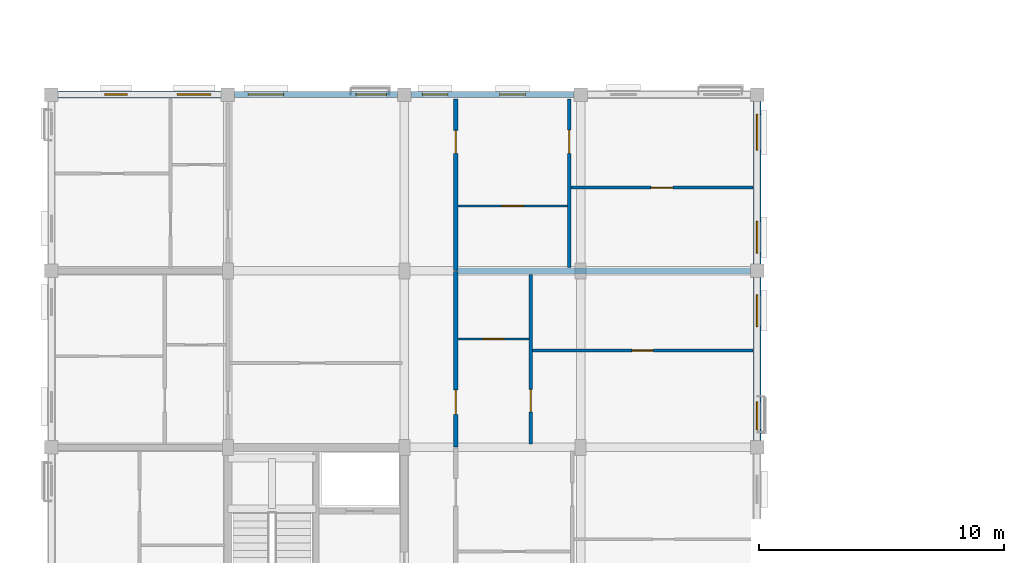
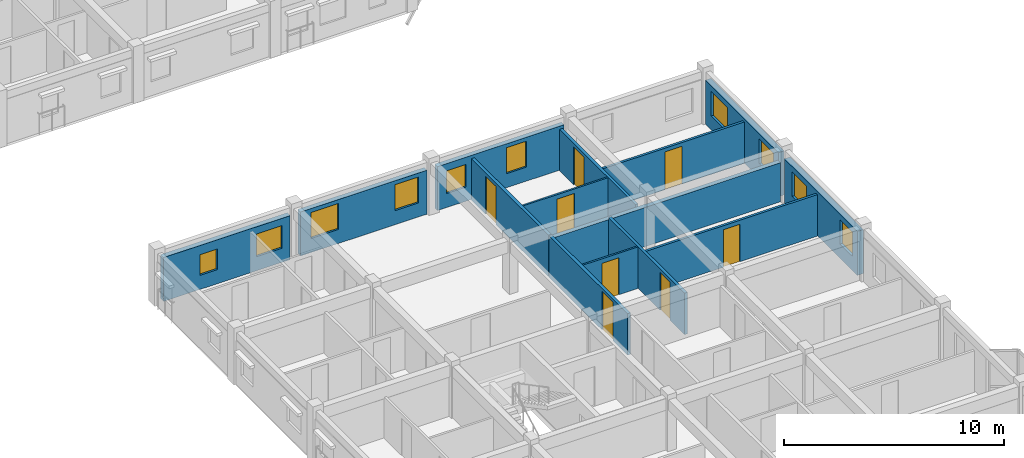
# One storey, part 54 of 79: 14 walls, 10 windows, 8 doors, 18 openings.
"""IFC4 building model written with IfcOpenShell, lengths in metres."""

from ifc_helpers import new_model, si_unit, direction, frame, frame_2d, origin, place, context, subcontext, project, spatial, rectangle, extrude, material, layer, layer_set, type_object, element, fill, save


model = new_model("IFC4")

# Units and contexts
model_context = context("Model", 3, precision=1e-05, world=origin(), true_north=direction((0.0, 1.0)))
body_context = subcontext(model_context, "Body", "Model", "MODEL_VIEW")
ifc_project = project(units=[si_unit("LENGTHUNIT", "METRE"), si_unit("AREAUNIT", "SQUARE_METRE"), si_unit("VOLUMEUNIT", "CUBIC_METRE"), si_unit("PLANEANGLEUNIT", "RADIAN"), si_unit("MASSUNIT", "GRAM", prefix="KILO"), si_unit("THERMODYNAMICTEMPERATUREUNIT", "KELVIN"), si_unit("POWERUNIT", "WATT")], contexts=[model_context])

# Site, building, storey
site_placement = place(None, origin())
site = spatial("IfcSite", under=ifc_project, at=site_placement, CompositionType="ELEMENT")
building_placement = place(site_placement, origin())
building = spatial("IfcBuilding", under=site, at=building_placement, Name="Tavuni Mirador Residences", CompositionType="ELEMENT")
storey_placement = place(building_placement, frame((0.0, 0.0, 13.949951171875)))
storey = spatial("IfcBuildingStorey", under=building, at=storey_placement, Name="L04", CompositionType="ELEMENT", Elevation=13.949951171875)

# Wall, opening, door
ifc_material_1 = material(Name="Precast concrete C40/50", Category="concrete")
ifc_layer_1 = layer(ifc_material_1, 0.1650390625, Name="Precast concrete C40/50", Category="concrete")
ifc_layer_set_1 = layer_set([ifc_layer_1], Name="Precast concrete C40/50")
wall_type_1 = type_object("IfcWallType", Name="WT-CORR165", PredefinedType="PARTITIONING", material=ifc_layer_set_1)
wall_1_placement = place(storey_placement, frame((20.10009765625, 36.02001953125, 0.0), z_axis=(0.0, 0.0, 1.0), x_axis=(0.0, 1.0, 0.0)))
wall_1 = element("IfcWall", 1, at=wall_1_placement, inside=storey, type_object=wall_type_1, Name="CORW-BLK-A-L04-0-04", PredefinedType="PARTITIONING", context=body_context, shape_type="SweptSolid", body=[
    extrude(rectangle(XDim=7.159912109375, YDim=0.1650390625, at=frame_2d((3.580078125, 0.0))), origin(), (0.0, 0.0, 1.0), 2.304931640625),
])
opening_1_placement = place(wall_1_placement, frame((1.330078125, 0.0, 0.0)))
opening_1 = element("IfcOpeningElement", 2, at=opening_1_placement, cuts=wall_1, Name="Opening D-03", PredefinedType="OPENING", context=body_context, shape_type="SweptSolid", body=[
    extrude(rectangle(XDim=1.0, YDim=2.14990234375, at=frame_2d((0.5, 1.074951171875))), frame((0.0, 0.092529296875, 0.0), z_axis=(0.0, -1.0, 0.0), x_axis=(1.0, 0.0, 0.0)), (0.0, 0.0, 1.0), 0.18505859375),
])
ifc_material_2 = material(Name="Solid core iroko timber", Category="wood")
door_type_1 = type_object("IfcDoorType", Name="DT-FD60-1000", OperationType="NOTDEFINED", PredefinedType="DOOR", material=ifc_material_2)
door_1_placement = place(opening_1_placement, origin())
door_1 = element("IfcDoor", 3, at=door_1_placement, inside=storey, type_object=door_type_1, Name="DR-2427", OperationType="SINGLE_SWING_RIGHT", OverallHeight=2.14990234375, OverallWidth=1.0, PredefinedType="DOOR", context=body_context, shape_type="SweptSolid", body=[
    extrude(rectangle(XDim=1.0, YDim=2.14990234375, at=frame_2d((0.5, 1.074951171875))), frame((0.0, 0.02490234375, 0.0), z_axis=(0.0, -1.0, 0.0), x_axis=(1.0, 0.0, 0.0)), (0.0, 0.0, 1.0), 0.050048828125),
])
fill(opening_1, door_1)

wall_2_placement = place(storey_placement, frame((20.10009765625, 43.219970703125, 0.0), z_axis=(0.0, 0.0, 1.0), x_axis=(0.0, 1.0, 0.0)))
wall_2 = element("IfcWall", 4, at=wall_2_placement, inside=storey, type_object=wall_type_1, Name="CORW-BLK-A-L04-0-05", PredefinedType="PARTITIONING", context=body_context, shape_type="SweptSolid", body=[
    extrude(rectangle(XDim=7.005126953125, YDim=0.1650390625, at=frame_2d((3.50244140625, 0.0))), origin(), (0.0, 0.0, 1.0), 2.304931640625),
])
opening_2_placement = place(wall_2_placement, frame((4.780029296875, 0.0, 0.0)))
opening_2 = element("IfcOpeningElement", 5, at=opening_2_placement, cuts=wall_2, Name="Opening D-19", PredefinedType="OPENING", context=body_context, shape_type="SweptSolid", body=[
    extrude(rectangle(XDim=0.93994140625, YDim=2.1201171875, at=frame_2d((0.469970703125, 1.06005859375))), frame((0.0, 0.092529296875, 0.0), z_axis=(0.0, -1.0, 0.0), x_axis=(1.0, 0.0, 0.0)), (0.0, 0.0, 1.0), 0.18505859375),
])
door_type_2 = type_object("IfcDoorType", Name="DT-FD60-940", OperationType="NOTDEFINED", PredefinedType="DOOR", material=ifc_material_2)
door_2_placement = place(opening_2_placement, origin())
door_2 = element("IfcDoor", 6, at=door_2_placement, inside=storey, type_object=door_type_2, Name="DR-2428", OperationType="SINGLE_SWING_LEFT", OverallHeight=2.1201171875, OverallWidth=0.93994140625, PredefinedType="DOOR", context=body_context, shape_type="SweptSolid", body=[
    extrude(rectangle(XDim=0.93994140625, YDim=2.1201171875, at=frame_2d((0.469970703125, 1.06005859375))), frame((0.0, 0.02490234375, 0.0), z_axis=(0.0, -1.0, 0.0), x_axis=(1.0, 0.0, 0.0)), (0.0, 0.0, 1.0), 0.050048828125),
])
fill(opening_2, door_2)

# Wall, openings, windows
ifc_material_3 = material(Name="Sgraffito lime-rendered precast concrete C40/50", Category="concrete")
ifc_layer_2 = layer(ifc_material_3, 0.2451171875, Name="Sgraffito lime-rendered precast concrete C40/50", Category="concrete")
ifc_layer_set_2 = layer_set([ifc_layer_2], Name="Sgraffito lime-rendered precast concrete C40/50")
wall_type_2 = type_object("IfcWallType", Name="WT-EXT-PC245", PredefinedType="SOLIDWALL", material=ifc_layer_set_2)
wall_3_placement = place(storey_placement, frame((24.925048828125, 50.39990234375, 0.0), z_axis=(0.0, 0.0, 1.0), x_axis=(-1.0, 0.0, 0.0)))
wall_3 = element("IfcWall", 7, at=wall_3_placement, inside=storey, type_object=wall_type_2, Name="EW-BLK-A-L04-N02", PredefinedType="SOLIDWALL", context=body_context, shape_type="SweptSolid", body=[
    extrude(rectangle(XDim=6.650146484375, YDim=0.2451171875, at=frame_2d((3.3251953125, 0.0))), origin(), (0.0, 0.0, 1.0), 2.43994140625),
])
opening_3_placement = place(wall_3_placement, frame((1.985107421875, 0.0, 0.780029296875)))
opening_3 = element("IfcOpeningElement", 8, at=opening_3_placement, cuts=wall_3, Name="Opening WN-26", PredefinedType="OPENING", context=body_context, shape_type="SweptSolid", body=[
    extrude(rectangle(XDim=1.050048828125, YDim=1.43994140625, at=frame_2d((0.52490234375, 0.719970703125))), frame((0.0, 0.132568359375, 0.0), z_axis=(0.0, -1.0, 0.0), x_axis=(1.0, 0.0, 0.0)), (0.0, 0.0, 1.0), 0.26513671875),
])
opening_4_placement = place(wall_3_placement, frame((5.1474609375, 0.0, 0.780029296875)))
opening_4 = element("IfcOpeningElement", 9, at=opening_4_placement, cuts=wall_3, Name="Opening WN-11", PredefinedType="OPENING", context=body_context, shape_type="SweptSolid", body=[
    extrude(rectangle(XDim=1.0400390625, YDim=1.260009765625, at=frame_2d((0.52001953125, 0.6298828125))), frame((0.0, 0.132568359375, 0.0), z_axis=(0.0, -1.0, 0.0), x_axis=(1.0, 0.0, 0.0)), (0.0, 0.0, 1.0), 0.26513671875),
])
ifc_material_4 = material(Name="Laminated solar-control glass", Category="glass")
window_type_1 = type_object("IfcWindowType", Name="WNT-11", PartitioningType="SINGLE_PANEL", PredefinedType="WINDOW", material=ifc_material_4)
window_1_placement = place(opening_4_placement, origin())
window_1 = element("IfcWindow", 10, at=window_1_placement, inside=storey, type_object=window_type_1, Name="WIN-0172", OverallHeight=1.260009765625, OverallWidth=1.0400390625, PartitioningType="SINGLE_PANEL", PredefinedType="WINDOW", context=body_context, shape_type="SweptSolid", body=[
    extrude(rectangle(XDim=1.0400390625, YDim=1.260009765625, at=frame_2d((0.52001953125, 0.6298828125))), frame((0.0, 0.030029296875, 0.0), z_axis=(0.0, -1.0, 0.0), x_axis=(1.0, 0.0, 0.0)), (0.0, 0.0, 1.0), 0.06005859375),
])
fill(opening_4, window_1)
window_type_2 = type_object("IfcWindowType", Name="WNT-26", PartitioningType="SINGLE_PANEL", PredefinedType="WINDOW", material=ifc_material_4)
window_2_placement = place(opening_3_placement, origin())
window_2 = element("IfcWindow", 11, at=window_2_placement, inside=storey, type_object=window_type_2, Name="WIN-0171", OverallHeight=1.43994140625, OverallWidth=1.050048828125, PartitioningType="SINGLE_PANEL", PredefinedType="WINDOW", context=body_context, shape_type="SweptSolid", body=[
    extrude(rectangle(XDim=1.050048828125, YDim=1.43994140625, at=frame_2d((0.52490234375, 0.719970703125))), frame((0.0, 0.030029296875, 0.0), z_axis=(0.0, -1.0, 0.0), x_axis=(1.0, 0.0, 0.0)), (0.0, 0.0, 1.0), 0.06005859375),
])
fill(opening_3, window_2)

ifc_layer_3 = layer(ifc_material_3, 0.2548828125, Name="Sgraffito lime-rendered precast concrete C40/50", Category="concrete")
ifc_layer_set_3 = layer_set([ifc_layer_3], Name="Sgraffito lime-rendered precast concrete C40/50")
wall_type_3 = type_object("IfcWallType", Name="WT-EXT-PC255", PredefinedType="SOLIDWALL", material=ifc_layer_set_3)
wall_4_placement = place(storey_placement, frame((17.72509765625, 50.39990234375, 0.0), z_axis=(0.0, 0.0, 1.0), x_axis=(-1.0, 0.0, 0.0)))
wall_4 = element("IfcWall", 12, at=wall_4_placement, inside=storey, type_object=wall_type_3, Name="EW-BLK-A-L04-N01", PredefinedType="SOLIDWALL", context=body_context, shape_type="SweptSolid", body=[
    extrude(rectangle(XDim=6.650146484375, YDim=0.2548828125, at=frame_2d((3.3251953125, 0.0))), origin(), (0.0, 0.0, 1.0), 2.43994140625),
])
opening_5_placement = place(wall_4_placement, frame((0.449951171875, 0.0, 0.780029296875)))
opening_5 = element("IfcOpeningElement", 13, at=opening_5_placement, cuts=wall_4, Name="Opening WN-28", PredefinedType="OPENING", context=body_context, shape_type="SweptSolid", body=[
    extrude(rectangle(XDim=1.25, YDim=1.43994140625, at=frame_2d((0.625, 0.719970703125))), frame((0.0, 0.137451171875, 0.0), z_axis=(0.0, -1.0, 0.0), x_axis=(1.0, 0.0, 0.0)), (0.0, 0.0, 1.0), 0.27490234375),
])
opening_6_placement = place(wall_4_placement, frame((4.64990234375, 0.0, 0.780029296875)))
opening_6 = element("IfcOpeningElement", 14, at=opening_6_placement, cuts=wall_4, Name="Opening WN-30", PredefinedType="OPENING", context=body_context, shape_type="SweptSolid", body=[
    extrude(rectangle(XDim=1.449951171875, YDim=1.43994140625, at=frame_2d((0.72509765625, 0.719970703125))), frame((0.0, 0.137451171875, 0.0), z_axis=(0.0, -1.0, 0.0), x_axis=(1.0, 0.0, 0.0)), (0.0, 0.0, 1.0), 0.27490234375),
])
window_type_3 = type_object("IfcWindowType", Name="WNT-28", PartitioningType="SINGLE_PANEL", PredefinedType="WINDOW", material=ifc_material_4)
window_3_placement = place(opening_5_placement, origin())
window_3 = element("IfcWindow", 15, at=window_3_placement, inside=storey, type_object=window_type_3, Name="WIN-0173", OverallHeight=1.43994140625, OverallWidth=1.25, PartitioningType="SINGLE_PANEL", PredefinedType="WINDOW", context=body_context, shape_type="SweptSolid", body=[
    extrude(rectangle(XDim=1.25, YDim=1.43994140625, at=frame_2d((0.625, 0.719970703125))), frame((0.0, 0.030029296875, 0.0), z_axis=(0.0, -1.0, 0.0), x_axis=(1.0, 0.0, 0.0)), (0.0, 0.0, 1.0), 0.06005859375),
])
fill(opening_5, window_3)
window_type_4 = type_object("IfcWindowType", Name="WNT-30", PartitioningType="SINGLE_PANEL", PredefinedType="WINDOW", material=ifc_material_4)
window_4_placement = place(opening_6_placement, origin())
window_4 = element("IfcWindow", 16, at=window_4_placement, inside=storey, type_object=window_type_4, Name="WIN-0174", OverallHeight=1.43994140625, OverallWidth=1.449951171875, PartitioningType="SINGLE_PANEL", PredefinedType="WINDOW", context=body_context, shape_type="SweptSolid", body=[
    extrude(rectangle(XDim=1.449951171875, YDim=1.43994140625, at=frame_2d((0.72509765625, 0.719970703125))), frame((0.0, 0.030029296875, 0.0), z_axis=(0.0, -1.0, 0.0), x_axis=(1.0, 0.0, 0.0)), (0.0, 0.0, 1.0), 0.06005859375),
])
fill(opening_6, window_4)

ifc_layer_4 = layer(ifc_material_3, 0.27490234375, Name="Sgraffito lime-rendered precast concrete C40/50", Category="concrete")
ifc_layer_set_4 = layer_set([ifc_layer_4], Name="Sgraffito lime-rendered precast concrete C40/50")
wall_type_4 = type_object("IfcWallType", Name="WT-EXT-PC275", PredefinedType="SOLIDWALL", material=ifc_layer_set_4)
wall_5_placement = place(storey_placement, frame((10.52490234375, 50.39990234375, 0.0), z_axis=(0.0, 0.0, 1.0), x_axis=(-1.0, 0.0, 0.0)))
wall_5 = element("IfcWall", 17, at=wall_5_placement, inside=storey, type_object=wall_type_4, Name="EW-BLK-A-L04-N00", PredefinedType="SOLIDWALL", context=body_context, shape_type="SweptSolid", body=[
    extrude(rectangle(XDim=6.64990234375, YDim=0.27490234375, at=frame_2d((3.324951171875, 0.0))), origin(), (0.0, 0.0, 1.0), 2.43994140625),
])
opening_7_placement = place(wall_5_placement, frame((0.422607421875, 0.0, 0.780029296875)))
opening_7 = element("IfcOpeningElement", 18, at=opening_7_placement, cuts=wall_5, Name="Opening WN-15", PredefinedType="OPENING", context=body_context, shape_type="SweptSolid", body=[
    extrude(rectangle(XDim=1.360107421875, YDim=1.260009765625, at=frame_2d((0.68017578125, 0.6298828125))), frame((0.0, 0.1474609375, 0.0), z_axis=(0.0, -1.0, 0.0), x_axis=(1.0, 0.0, 0.0)), (0.0, 0.0, 1.0), 0.294921875),
])
opening_8_placement = place(wall_5_placement, frame((3.827392578125, 0.0, 0.780029296875)))
opening_8 = element("IfcOpeningElement", 19, at=opening_8_placement, cuts=wall_5, Name="Opening WN-02", PredefinedType="OPENING", context=body_context, shape_type="SweptSolid", body=[
    extrude(rectangle(XDim=0.919921875, YDim=1.14990234375, at=frame_2d((0.4599609375, 0.574951171875))), frame((0.0, 0.1474609375, 0.0), z_axis=(0.0, -1.0, 0.0), x_axis=(1.0, 0.0, 0.0)), (0.0, 0.0, 1.0), 0.294921875),
])
window_type_5 = type_object("IfcWindowType", Name="WNT-02", PartitioningType="SINGLE_PANEL", PredefinedType="WINDOW", material=ifc_material_4)
window_5_placement = place(opening_8_placement, origin())
window_5 = element("IfcWindow", 20, at=window_5_placement, inside=storey, type_object=window_type_5, Name="WIN-0176", OverallHeight=1.14990234375, OverallWidth=0.919921875, PartitioningType="SINGLE_PANEL", PredefinedType="WINDOW", context=body_context, shape_type="SweptSolid", body=[
    extrude(rectangle(XDim=0.919921875, YDim=1.14990234375, at=frame_2d((0.4599609375, 0.574951171875))), frame((0.0, 0.030029296875, 0.0), z_axis=(0.0, -1.0, 0.0), x_axis=(1.0, 0.0, 0.0)), (0.0, 0.0, 1.0), 0.06005859375),
])
fill(opening_8, window_5)
window_type_6 = type_object("IfcWindowType", Name="WNT-15", PartitioningType="SINGLE_PANEL", PredefinedType="WINDOW", material=ifc_material_4)
window_6_placement = place(opening_7_placement, origin())
window_6 = element("IfcWindow", 21, at=window_6_placement, inside=storey, type_object=window_type_6, Name="WIN-0175", OverallHeight=1.260009765625, OverallWidth=1.360107421875, PartitioningType="SINGLE_PANEL", PredefinedType="WINDOW", context=body_context, shape_type="SweptSolid", body=[
    extrude(rectangle(XDim=1.360107421875, YDim=1.260009765625, at=frame_2d((0.68017578125, 0.6298828125))), frame((0.0, 0.030029296875, 0.0), z_axis=(0.0, -1.0, 0.0), x_axis=(1.0, 0.0, 0.0)), (0.0, 0.0, 1.0), 0.06005859375),
])
fill(opening_7, window_6)

ifc_layer_5 = layer(ifc_material_3, 0.304931640625, Name="Sgraffito lime-rendered precast concrete C40/50", Category="concrete")
ifc_layer_set_5 = layer_set([ifc_layer_5], Name="Sgraffito lime-rendered precast concrete C40/50")
wall_type_5 = type_object("IfcWallType", Name="WT-EXT-PC305", PredefinedType="SOLIDWALL", material=ifc_layer_set_5)
wall_6_placement = place(storey_placement, frame((32.39990234375, 43.47509765625, 0.0), z_axis=(0.0, 0.0, 1.0), x_axis=(0.0, 1.0, 0.0)))
wall_6 = element("IfcWall", 22, at=wall_6_placement, inside=storey, type_object=wall_type_5, Name="EW-BLK-A-L04-E05", PredefinedType="SOLIDWALL", context=body_context, shape_type="SweptSolid", body=[
    extrude(rectangle(XDim=6.64990234375, YDim=0.304931640625, at=frame_2d((3.324951171875, 0.0))), origin(), (0.0, 0.0, 1.0), 2.43994140625),
])
opening_9_placement = place(wall_6_placement, frame((0.449951171875, 0.0, 0.780029296875)))
opening_9 = element("IfcOpeningElement", 23, at=opening_9_placement, cuts=wall_6, Name="Opening WN-22", PredefinedType="OPENING", context=body_context, shape_type="SweptSolid", body=[
    extrude(rectangle(XDim=1.300048828125, YDim=1.360107421875, at=frame_2d((0.64990234375, 0.68017578125))), frame((0.0, 0.16259765625, 0.0), z_axis=(0.0, -1.0, 0.0), x_axis=(1.0, 0.0, 0.0)), (0.0, 0.0, 1.0), 0.324951171875),
])
opening_10_placement = place(wall_6_placement, frame((4.64990234375, 0.0, 0.780029296875)))
opening_10 = element("IfcOpeningElement", 24, at=opening_10_placement, cuts=wall_6, Name="Opening WN-24", PredefinedType="OPENING", context=body_context, shape_type="SweptSolid", body=[
    extrude(rectangle(XDim=1.4599609375, YDim=1.360107421875, at=frame_2d((0.72998046875, 0.68017578125))), frame((0.0, 0.16259765625, 0.0), z_axis=(0.0, -1.0, 0.0), x_axis=(1.0, 0.0, 0.0)), (0.0, 0.0, 1.0), 0.324951171875),
])
window_type_7 = type_object("IfcWindowType", Name="WNT-22", PartitioningType="SINGLE_PANEL", PredefinedType="WINDOW", material=ifc_material_4)
window_7_placement = place(opening_9_placement, origin())
window_7 = element("IfcWindow", 25, at=window_7_placement, inside=storey, type_object=window_type_7, Name="WIN-0167", OverallHeight=1.360107421875, OverallWidth=1.300048828125, PartitioningType="SINGLE_PANEL", PredefinedType="WINDOW", context=body_context, shape_type="SweptSolid", body=[
    extrude(rectangle(XDim=1.300048828125, YDim=1.360107421875, at=frame_2d((0.64990234375, 0.68017578125))), frame((0.0, 0.030029296875, 0.0), z_axis=(0.0, -1.0, 0.0), x_axis=(1.0, 0.0, 0.0)), (0.0, 0.0, 1.0), 0.06005859375),
])
fill(opening_9, window_7)
window_type_8 = type_object("IfcWindowType", Name="WNT-24", PartitioningType="SINGLE_PANEL", PredefinedType="WINDOW", material=ifc_material_4)
window_8_placement = place(opening_10_placement, origin())
window_8 = element("IfcWindow", 26, at=window_8_placement, inside=storey, type_object=window_type_8, Name="WIN-0168", OverallHeight=1.360107421875, OverallWidth=1.4599609375, PartitioningType="SINGLE_PANEL", PredefinedType="WINDOW", context=body_context, shape_type="SweptSolid", body=[
    extrude(rectangle(XDim=1.4599609375, YDim=1.360107421875, at=frame_2d((0.72998046875, 0.68017578125))), frame((0.0, 0.030029296875, 0.0), z_axis=(0.0, -1.0, 0.0), x_axis=(1.0, 0.0, 0.0)), (0.0, 0.0, 1.0), 0.06005859375),
])
fill(opening_10, window_8)

ifc_layer_6 = layer(ifc_material_3, 0.31494140625, Name="Sgraffito lime-rendered precast concrete C40/50", Category="concrete")
ifc_layer_set_6 = layer_set([ifc_layer_6], Name="Sgraffito lime-rendered precast concrete C40/50")
wall_type_6 = type_object("IfcWallType", Name="WT-EXT-PC315", PredefinedType="SOLIDWALL", material=ifc_layer_set_6)
wall_7_placement = place(storey_placement, frame((32.39990234375, 36.27490234375, 0.0), z_axis=(0.0, 0.0, 1.0), x_axis=(0.0, 1.0, 0.0)))
wall_7 = element("IfcWall", 27, at=wall_7_placement, inside=storey, type_object=wall_type_6, Name="EW-BLK-A-L04-E04", PredefinedType="SOLIDWALL", context=body_context, shape_type="SweptSolid", body=[
    extrude(rectangle(XDim=6.650146484375, YDim=0.31494140625, at=frame_2d((3.3251953125, 0.0))), origin(), (0.0, 0.0, 1.0), 2.43994140625),
])
opening_11_placement = place(wall_7_placement, frame((0.449951171875, 0.0, 0.780029296875)))
opening_11 = element("IfcOpeningElement", 28, at=opening_11_placement, cuts=wall_7, Name="Opening WN-20", PredefinedType="OPENING", context=body_context, shape_type="SweptSolid", body=[
    extrude(rectangle(XDim=1.139892578125, YDim=1.360107421875, at=frame_2d((0.56982421875, 0.68017578125))), frame((0.0, 0.16748046875, 0.0), z_axis=(0.0, -1.0, 0.0), x_axis=(1.0, 0.0, 0.0)), (0.0, 0.0, 1.0), 0.3349609375),
])
opening_12_placement = place(wall_7_placement, frame((4.64990234375, 0.0, 0.780029296875)))
opening_12 = element("IfcOpeningElement", 29, at=opening_12_placement, cuts=wall_7, Name="Opening WN-22", PredefinedType="OPENING", context=body_context, shape_type="SweptSolid", body=[
    extrude(rectangle(XDim=1.300048828125, YDim=1.360107421875, at=frame_2d((0.64990234375, 0.68017578125))), frame((0.0, 0.16748046875, 0.0), z_axis=(0.0, -1.0, 0.0), x_axis=(1.0, 0.0, 0.0)), (0.0, 0.0, 1.0), 0.3349609375),
])
window_type_9 = type_object("IfcWindowType", Name="WNT-20", PartitioningType="SINGLE_PANEL", PredefinedType="WINDOW", material=ifc_material_4)
window_9_placement = place(opening_11_placement, origin())
window_9 = element("IfcWindow", 30, at=window_9_placement, inside=storey, type_object=window_type_9, Name="WIN-0165", OverallHeight=1.360107421875, OverallWidth=1.139892578125, PartitioningType="SINGLE_PANEL", PredefinedType="WINDOW", context=body_context, shape_type="SweptSolid", body=[
    extrude(rectangle(XDim=1.139892578125, YDim=1.360107421875, at=frame_2d((0.56982421875, 0.68017578125))), frame((0.0, 0.030029296875, 0.0), z_axis=(0.0, -1.0, 0.0), x_axis=(1.0, 0.0, 0.0)), (0.0, 0.0, 1.0), 0.06005859375),
])
fill(opening_11, window_9)
window_10_placement = place(opening_12_placement, origin())
window_10 = element("IfcWindow", 31, at=window_10_placement, inside=storey, type_object=window_type_7, Name="WIN-0166", OverallHeight=1.360107421875, OverallWidth=1.300048828125, PartitioningType="SINGLE_PANEL", PredefinedType="WINDOW", context=body_context, shape_type="SweptSolid", body=[
    extrude(rectangle(XDim=1.300048828125, YDim=1.360107421875, at=frame_2d((0.64990234375, 0.68017578125))), frame((0.0, 0.030029296875, 0.0), z_axis=(0.0, -1.0, 0.0), x_axis=(1.0, 0.0, 0.0)), (0.0, 0.0, 1.0), 0.06005859375),
])
fill(opening_12, window_10)

# Wall, opening, door
ifc_material_5 = material(Name="Acoustic gypsum and concrete block partition", Category="concrete")
ifc_layer_7 = layer(ifc_material_5, 0.094970703125, Name="Acoustic gypsum and concrete block partition", Category="concrete")
ifc_layer_set_7 = layer_set([ifc_layer_7], Name="Acoustic gypsum and concrete block partition")
wall_type_7 = type_object("IfcWallType", Name="WT-PART095", PredefinedType="PARTITIONING", material=ifc_layer_set_7)
wall_8_placement = place(storey_placement, frame((20.18994140625, 40.419921875, 0.0), z_axis=(0.0, 0.0, 1.0), x_axis=(1.0, 0.0, 0.0)))
wall_8 = element("IfcWall", 32, at=wall_8_placement, inside=storey, type_object=wall_type_7, Name="PW-BLK-A-L04-E04-IN1", PredefinedType="PARTITIONING", context=body_context, shape_type="SweptSolid", body=[
    extrude(rectangle(XDim=2.900146484375, YDim=0.094970703125, at=frame_2d((1.4501953125, 0.0))), origin(), (0.0, 0.0, 1.0), 2.304931640625),
])
opening_13_placement = place(wall_8_placement, frame((1.014892578125, 0.0, 0.0)))
opening_13 = element("IfcOpeningElement", 33, at=opening_13_placement, cuts=wall_8, Name="Opening D-10", PredefinedType="OPENING", context=body_context, shape_type="SweptSolid", body=[
    extrude(rectangle(XDim=0.8701171875, YDim=2.050048828125, at=frame_2d((0.43505859375, 1.02490234375))), frame((0.0, 0.0576171875, 0.0), z_axis=(0.0, -1.0, 0.0), x_axis=(1.0, 0.0, 0.0)), (0.0, 0.0, 1.0), 0.114990234375),
])
door_type_3 = type_object("IfcDoorType", Name="DT-WC870", OperationType="NOTDEFINED", PredefinedType="DOOR", material=ifc_material_2)
door_3_placement = place(opening_13_placement, origin())
door_3 = element("IfcDoor", 34, at=door_3_placement, inside=storey, type_object=door_type_3, Name="DR-3091", OperationType="SINGLE_SWING_LEFT", OverallHeight=2.050048828125, OverallWidth=0.8701171875, PredefinedType="DOOR", context=body_context, shape_type="SweptSolid", body=[
    extrude(rectangle(XDim=0.8701171875, YDim=2.050048828125, at=frame_2d((0.43505859375, 1.02490234375))), frame((0.0, 0.02490234375, 0.0), z_axis=(0.0, -1.0, 0.0), x_axis=(1.0, 0.0, 0.0)), (0.0, 0.0, 1.0), 0.050048828125),
])
fill(opening_13, door_3)

wall_9_placement = place(storey_placement, frame((20.18994140625, 45.85009765625, 0.0), z_axis=(0.0, 0.0, 1.0), x_axis=(1.0, 0.0, 0.0)))
wall_9 = element("IfcWall", 35, at=wall_9_placement, inside=storey, type_object=wall_type_7, Name="PW-BLK-A-L04-E05-IN1", PredefinedType="PARTITIONING", context=body_context, shape_type="SweptSolid", body=[
    extrude(rectangle(XDim=4.469970703125, YDim=0.094970703125, at=frame_2d((2.23486328125, 0.0))), origin(), (0.0, 0.0, 1.0), 2.304931640625),
])
opening_14_placement = place(wall_9_placement, frame((1.784912109375, 0.0, 0.0)))
opening_14 = element("IfcOpeningElement", 36, at=opening_14_placement, cuts=wall_9, Name="Opening D-09", PredefinedType="OPENING", context=body_context, shape_type="SweptSolid", body=[
    extrude(rectangle(XDim=0.89990234375, YDim=2.050048828125, at=frame_2d((0.449951171875, 1.02490234375))), frame((0.0, 0.0576171875, 0.0), z_axis=(0.0, -1.0, 0.0), x_axis=(1.0, 0.0, 0.0)), (0.0, 0.0, 1.0), 0.114990234375),
])
door_type_4 = type_object("IfcDoorType", Name="DT-WC900", OperationType="NOTDEFINED", PredefinedType="DOOR", material=ifc_material_2)
door_4_placement = place(opening_14_placement, origin())
door_4 = element("IfcDoor", 37, at=door_4_placement, inside=storey, type_object=door_type_4, Name="DR-3097", OperationType="SINGLE_SWING_RIGHT", OverallHeight=2.050048828125, OverallWidth=0.89990234375, PredefinedType="DOOR", context=body_context, shape_type="SweptSolid", body=[
    extrude(rectangle(XDim=0.89990234375, YDim=2.050048828125, at=frame_2d((0.449951171875, 1.02490234375))), frame((0.0, 0.02490234375, 0.0), z_axis=(0.0, -1.0, 0.0), x_axis=(1.0, 0.0, 0.0)), (0.0, 0.0, 1.0), 0.050048828125),
])
fill(opening_14, door_4)

ifc_layer_8 = layer(ifc_material_5, 0.125, Name="Acoustic gypsum and concrete block partition", Category="concrete")
ifc_layer_set_8 = layer_set([ifc_layer_8], Name="Acoustic gypsum and concrete block partition")
wall_type_8 = type_object("IfcWallType", Name="WT-PART125", PredefinedType="PARTITIONING", material=ifc_layer_set_8)
wall_10_placement = place(storey_placement, frame((23.22998046875, 39.949951171875, 0.0), z_axis=(0.0, 0.0, 1.0), x_axis=(1.0, 0.0, 0.0)))
wall_10 = element("IfcWall", 38, at=wall_10_placement, inside=storey, type_object=wall_type_8, Name="PW-BLK-A-L04-E04-OUT", PredefinedType="PARTITIONING", context=body_context, shape_type="SweptSolid", body=[
    extrude(rectangle(XDim=8.9951171875, YDim=0.125, at=frame_2d((4.49755859375, 0.0))), origin(), (0.0, 0.0, 1.0), 2.304931640625),
])
opening_15_placement = place(wall_10_placement, frame((4.0576171875, 0.0, 0.0)))
opening_15 = element("IfcOpeningElement", 39, at=opening_15_placement, cuts=wall_10, Name="Opening D-08", PredefinedType="OPENING", context=body_context, shape_type="SweptSolid", body=[
    extrude(rectangle(XDim=0.8798828125, YDim=2.080078125, at=frame_2d((0.43994140625, 1.0400390625))), frame((0.0, 0.072509765625, 0.0), z_axis=(0.0, -1.0, 0.0), x_axis=(1.0, 0.0, 0.0)), (0.0, 0.0, 1.0), 0.14501953125),
])
door_type_5 = type_object("IfcDoorType", Name="DT-BED880", OperationType="NOTDEFINED", PredefinedType="DOOR", material=ifc_material_2)
door_5_placement = place(opening_15_placement, origin())
door_5 = element("IfcDoor", 40, at=door_5_placement, inside=storey, type_object=door_type_5, Name="DR-3090", OperationType="SINGLE_SWING_RIGHT", OverallHeight=2.080078125, OverallWidth=0.8798828125, PredefinedType="DOOR", context=body_context, shape_type="SweptSolid", body=[
    extrude(rectangle(XDim=0.8798828125, YDim=2.080078125, at=frame_2d((0.43994140625, 1.0400390625))), frame((0.0, 0.02490234375, 0.0), z_axis=(0.0, -1.0, 0.0), x_axis=(1.0, 0.0, 0.0)), (0.0, 0.0, 1.0), 0.050048828125),
])
fill(opening_15, door_5)

wall_11_placement = place(storey_placement, frame((24.800048828125, 46.60009765625, 0.0), z_axis=(0.0, 0.0, 1.0), x_axis=(1.0, 0.0, 0.0)))
wall_11 = element("IfcWall", 41, at=wall_11_placement, inside=storey, type_object=wall_type_8, Name="PW-BLK-A-L04-E05-OUT", PredefinedType="PARTITIONING", context=body_context, shape_type="SweptSolid", body=[
    extrude(rectangle(XDim=7.425048828125, YDim=0.125, at=frame_2d((3.71240234375, 0.0))), origin(), (0.0, 0.0, 1.0), 2.304931640625),
])
opening_16_placement = place(wall_11_placement, frame((3.262451171875, 0.0, 0.0)))
opening_16 = element("IfcOpeningElement", 42, at=opening_16_placement, cuts=wall_11, Name="Opening D-07", PredefinedType="OPENING", context=body_context, shape_type="SweptSolid", body=[
    extrude(rectangle(XDim=0.89990234375, YDim=2.10009765625, at=frame_2d((0.449951171875, 1.050048828125))), frame((0.0, 0.072509765625, 0.0), z_axis=(0.0, -1.0, 0.0), x_axis=(1.0, 0.0, 0.0)), (0.0, 0.0, 1.0), 0.14501953125),
])
door_type_6 = type_object("IfcDoorType", Name="DT-BED900", OperationType="NOTDEFINED", PredefinedType="DOOR", material=ifc_material_2)
door_6_placement = place(opening_16_placement, origin())
door_6 = element("IfcDoor", 43, at=door_6_placement, inside=storey, type_object=door_type_6, Name="DR-3096", OperationType="SINGLE_SWING_LEFT", OverallHeight=2.10009765625, OverallWidth=0.89990234375, PredefinedType="DOOR", context=body_context, shape_type="SweptSolid", body=[
    extrude(rectangle(XDim=0.89990234375, YDim=2.10009765625, at=frame_2d((0.449951171875, 1.050048828125))), frame((0.0, 0.02490234375, 0.0), z_axis=(0.0, -1.0, 0.0), x_axis=(1.0, 0.0, 0.0)), (0.0, 0.0, 1.0), 0.050048828125),
])
fill(opening_16, door_6)

ifc_layer_9 = layer(ifc_material_5, 0.14990234375, Name="Acoustic gypsum and concrete block partition", Category="concrete")
ifc_layer_set_9 = layer_set([ifc_layer_9], Name="Acoustic gypsum and concrete block partition")
wall_type_9 = type_object("IfcWallType", Name="WT-PART150", PredefinedType="PARTITIONING", material=ifc_layer_set_9)
wall_12_placement = place(storey_placement, frame((23.159912109375, 36.139892578125, 0.0), z_axis=(0.0, 0.0, 1.0), x_axis=(0.0, 1.0, 0.0)))
wall_12 = element("IfcWall", 44, at=wall_12_placement, inside=storey, type_object=wall_type_9, Name="PW-BLK-A-L04-E04-MID", PredefinedType="PARTITIONING", context=body_context, shape_type="SweptSolid", body=[
    extrude(rectangle(XDim=6.920166015625, YDim=0.14990234375, at=frame_2d((3.4599609375, 0.0))), origin(), (0.0, 0.0, 1.0), 2.304931640625),
])
opening_17_placement = place(wall_12_placement, frame((1.31005859375, 0.0, 0.0)))
opening_17 = element("IfcOpeningElement", 45, at=opening_17_placement, cuts=wall_12, Name="Opening D-06", PredefinedType="OPENING", context=body_context, shape_type="SweptSolid", body=[
    extrude(rectangle(XDim=0.919921875, YDim=2.10009765625, at=frame_2d((0.4599609375, 1.050048828125))), frame((0.0, 0.0849609375, 0.0), z_axis=(0.0, -1.0, 0.0), x_axis=(1.0, 0.0, 0.0)), (0.0, 0.0, 1.0), 0.169921875),
])
door_type_7 = type_object("IfcDoorType", Name="DT-INT920", OperationType="NOTDEFINED", PredefinedType="DOOR", material=ifc_material_2)
door_7_placement = place(opening_17_placement, origin())
door_7 = element("IfcDoor", 46, at=door_7_placement, inside=storey, type_object=door_type_7, Name="DR-3092", OperationType="SINGLE_SWING_RIGHT", OverallHeight=2.10009765625, OverallWidth=0.919921875, PredefinedType="DOOR", context=body_context, shape_type="SweptSolid", body=[
    extrude(rectangle(XDim=0.919921875, YDim=2.10009765625, at=frame_2d((0.4599609375, 1.050048828125))), frame((0.0, 0.02490234375, 0.0), z_axis=(0.0, -1.0, 0.0), x_axis=(1.0, 0.0, 0.0)), (0.0, 0.0, 1.0), 0.050048828125),
])
fill(opening_17, door_7)

wall_13_placement = place(storey_placement, frame((24.72998046875, 43.340087890625, 0.0), z_axis=(0.0, 0.0, 1.0), x_axis=(0.0, 1.0, 0.0)))
wall_13 = element("IfcWall", 47, at=wall_13_placement, inside=storey, type_object=wall_type_9, Name="PW-BLK-A-L04-E05-MID", PredefinedType="PARTITIONING", context=body_context, shape_type="SweptSolid", body=[
    extrude(rectangle(XDim=6.885009765625, YDim=0.14990234375, at=frame_2d((3.4423828125, 0.0))), origin(), (0.0, 0.0, 1.0), 2.304931640625),
])
opening_18_placement = place(wall_13_placement, frame((4.659912109375, 0.0, 0.0)))
opening_18 = element("IfcOpeningElement", 48, at=opening_18_placement, cuts=wall_13, Name="Opening D-05", PredefinedType="OPENING", context=body_context, shape_type="SweptSolid", body=[
    extrude(rectangle(XDim=0.949951171875, YDim=2.10009765625, at=frame_2d((0.47509765625, 1.050048828125))), frame((0.0, 0.0849609375, 0.0), z_axis=(0.0, -1.0, 0.0), x_axis=(1.0, 0.0, 0.0)), (0.0, 0.0, 1.0), 0.169921875),
])
door_type_8 = type_object("IfcDoorType", Name="DT-INT950", OperationType="NOTDEFINED", PredefinedType="DOOR", material=ifc_material_2)
door_8_placement = place(opening_18_placement, origin())
door_8 = element("IfcDoor", 49, at=door_8_placement, inside=storey, type_object=door_type_8, Name="DR-3098", OperationType="SINGLE_SWING_LEFT", OverallHeight=2.10009765625, OverallWidth=0.949951171875, PredefinedType="DOOR", context=body_context, shape_type="SweptSolid", body=[
    extrude(rectangle(XDim=0.949951171875, YDim=2.10009765625, at=frame_2d((0.47509765625, 1.050048828125))), frame((0.0, 0.02490234375, 0.0), z_axis=(0.0, -1.0, 0.0), x_axis=(1.0, 0.0, 0.0)), (0.0, 0.0, 1.0), 0.050048828125),
])
fill(opening_18, door_8)

# Wall
ifc_layer_10 = layer(ifc_material_1, 0.235107421875, Name="Precast concrete C40/50", Category="concrete")
ifc_layer_set_10 = layer_set([ifc_layer_10], Name="Precast concrete C40/50")
wall_type_10 = type_object("IfcWallType", Name="WT-XW235", PredefinedType="SOLIDWALL", material=ifc_layer_set_10)
wall_14_placement = place(storey_placement, frame((20.10009765625, 43.199951171875, 0.0), z_axis=(0.0, 0.0, 1.0), x_axis=(1.0, 0.0, 0.0)))
element("IfcWall", 50, at=wall_14_placement, inside=storey, type_object=wall_type_10, Name="XW-BLK-A-L04-E-05", PredefinedType="SOLIDWALL", context=body_context, shape_type="SweptSolid", body=[
    extrude(rectangle(XDim=12.02490234375, YDim=0.235107421875, at=frame_2d((6.012451171875, 0.0))), origin(), (0.0, 0.0, 1.0), 2.170166015625),
])

save(model, "model.ifc")
